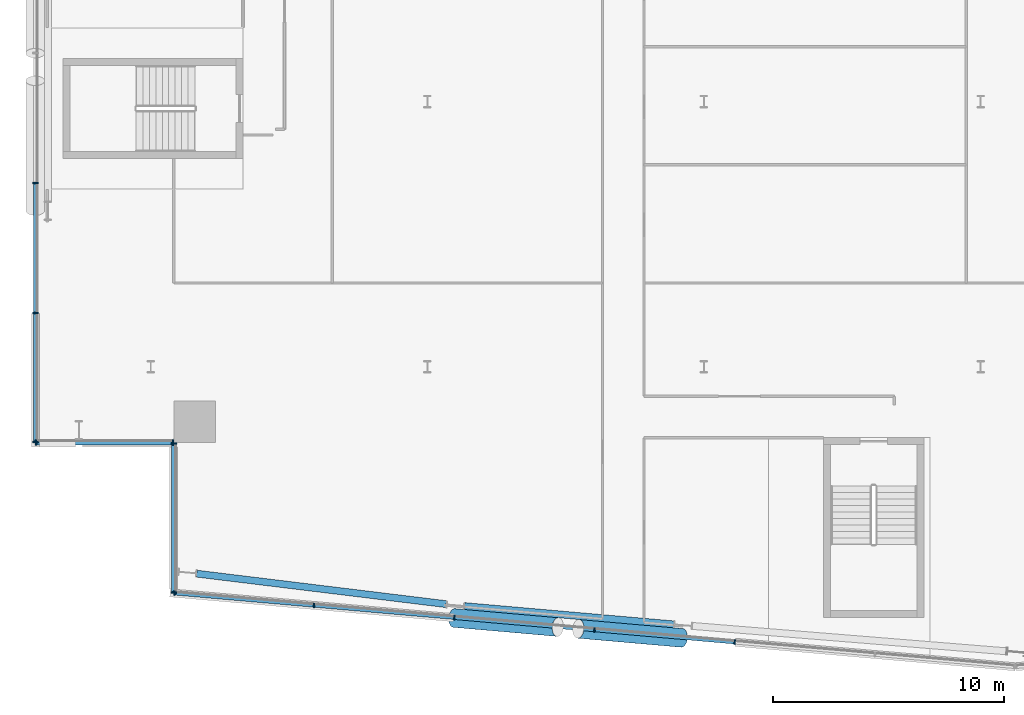
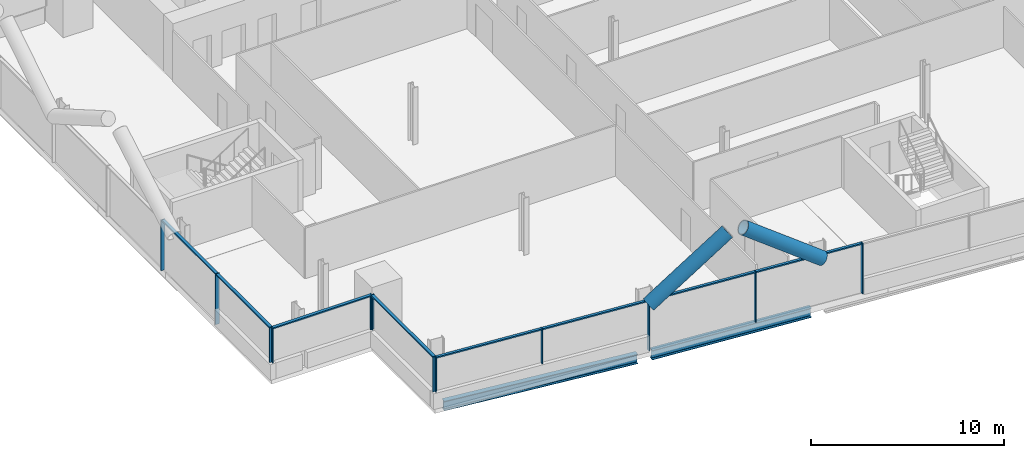
# One storey, part 5 of 26: 22 members, 2 beams, 4 elements without a shape of their own.
"""IFC4 building model written with IfcOpenShell, lengths in metres."""

from ifc_helpers import new_model, si_unit, direction, frame, origin, origin_2d, place, context, subcontext, project, spatial, rectangle, hollow_circle, i_section, extrude, material, material_profile, profile_set, type_object, element, aggregate, save


model = new_model("IFC4")

# Units and contexts
model_context = context("Model", 3, precision=1e-05, world=origin(), true_north=direction((0.0, 1.0)))
body_context = subcontext(model_context, "Body", "Model", "MODEL_VIEW")
ifc_project = project(units=[si_unit("LENGTHUNIT", "METRE"), si_unit("AREAUNIT", "SQUARE_METRE"), si_unit("VOLUMEUNIT", "CUBIC_METRE"), si_unit("PLANEANGLEUNIT", "RADIAN"), si_unit("MASSUNIT", "GRAM", prefix="KILO")], contexts=[model_context])

# Site, building, storey
site_placement = place(None, origin())
site = spatial("IfcSite", under=ifc_project, at=site_placement, CompositionType="ELEMENT")
building_placement = place(site_placement, origin())
building = spatial("IfcBuilding", under=site, at=building_placement, Name="Wharfspan Tower", CompositionType="ELEMENT")
storey_placement = place(building_placement, frame((0.0, 0.0, 114.699951)))
storey = spatial("IfcBuildingStorey", under=building, at=storey_placement, Name="L26", CompositionType="ELEMENT", Elevation=114.699951)

# Beams
ifc_material_1 = material(Name="Steel S355J2", Category="steel")
ifc_material_profile_1 = material_profile(ifc_material_1, i_section(OverallWidth=0.300049, OverallDepth=0.600098, WebThickness=0.015381, FlangeThickness=0.030029, FilletRadius=0.0271, at=origin_2d()))
ifc_profile_set_1 = profile_set([ifc_material_profile_1], Name="Steel S355J2")
beam_type = type_object("IfcBeamType", Name="Edge beam HEB 600", PredefinedType="SPANDREL", material=ifc_profile_set_1)
beam_1_placement = place(storey_placement, frame((13.990967, 2.520508, -0.699951), z_axis=(0.992611, -0.121342, 0.0), x_axis=(0.121342, 0.992611, 0.0)))
element("IfcBeam", 1, at=beam_1_placement, inside=storey, type_object=beam_type, Name="Edge beam S1 L26 PS1.1 to PS1.2", PredefinedType="SPANDREL", context=body_context, shape_type="SweptSolid", body=[
    extrude(i_section(OverallWidth=0.300049, OverallDepth=0.600098, WebThickness=0.015381, FlangeThickness=0.030029, FilletRadius=0.0271, at=origin_2d()), origin(), (0.0, 0.0, 1.0), 10.903076),
])
beam_2_placement = place(storey_placement, frame((25.615234, 1.113525, -0.699951), z_axis=(0.996195, -0.087151, 0.0), x_axis=(0.087151, 0.996195, 0.0)))
element("IfcBeam", 2, at=beam_2_placement, inside=storey, type_object=beam_type, Name="Edge beam S1 L26 PS1.2 to PS1.3", PredefinedType="SPANDREL", context=body_context, shape_type="SweptSolid", body=[
    extrude(i_section(OverallWidth=0.300049, OverallDepth=0.600098, WebThickness=0.015381, FlangeThickness=0.030029, FilletRadius=0.0271, at=origin_2d()), origin(), (0.0, 0.0, 1.0), 9.107178),
])

# Curtain wall, members
ifc_material_2 = material(Name="Aluminium 6063-T6", Category="aluminium")
curtain_wall_type_1 = type_object("IfcCurtainWallType", Name="CURTAIN WALL FACETED FRONT", PredefinedType="NOTDEFINED", material=ifc_material_2)
curtain_wall_1_placement = place(storey_placement, origin())
curtain_wall_1 = element("IfcCurtainWall", 3, at=curtain_wall_1_placement, inside=storey, type_object=curtain_wall_type_1, Name="Curtain wall S1", PredefinedType="NOTDEFINED")
ifc_material_profile_2 = material_profile(ifc_material_2, rectangle(XDim=0.199951, YDim=0.060059, at=origin_2d()))
ifc_profile_set_2 = profile_set([ifc_material_profile_2], Name="Aluminium 6063-T6")
member_type_1 = type_object("IfcMemberType", Name="MULLION FACETED FRONT 60x200", PredefinedType="MULLION", material=ifc_profile_set_2)
member_1_placement = place(storey_placement, frame((13.029785, 1.672363, 1.0), z_axis=(0.0, 0.0, 1.0), x_axis=(0.087156, 0.996198, 0.0)))
member_1 = element("IfcMember", 4, at=member_1_placement, type_object=member_type_1, Name="Curtain wall S1 mullion 1", PredefinedType="MULLION", context=body_context, shape_type="SweptSolid", body=[
    extrude(rectangle(XDim=0.199951, YDim=0.060059, at=origin_2d()), origin(), (0.0, 0.0, 1.0), 2.199951),
])
member_2_placement = place(storey_placement, frame((19.083252, 1.142822, 1.0), z_axis=(0.0, 0.0, 1.0), x_axis=(0.087156, 0.996198, 0.0)))
member_2 = element("IfcMember", 5, at=member_2_placement, type_object=member_type_1, Name="Curtain wall S1 mullion 2", PredefinedType="MULLION", context=body_context, shape_type="SweptSolid", body=[
    extrude(rectangle(XDim=0.199951, YDim=0.060059, at=origin_2d()), origin(), (0.0, 0.0, 1.0), 2.199951),
])
member_3_placement = place(storey_placement, frame((25.166748, 0.610596, 0.0), z_axis=(0.0, 0.0, 1.0), x_axis=(0.087156, 0.996198, 0.0)))
member_3 = element("IfcMember", 6, at=member_3_placement, type_object=member_type_1, Name="Curtain wall S1 mullion 3", PredefinedType="MULLION", context=body_context, shape_type="SweptSolid", body=[
    extrude(rectangle(XDim=0.199951, YDim=0.060059, at=origin_2d()), origin(), (0.0, 0.0, 1.0), 3.199951),
])
member_4_placement = place(storey_placement, frame((31.25, 0.078369, 0.0), z_axis=(0.0, 0.0, 1.0), x_axis=(0.087156, 0.996198, 0.0)))
member_4 = element("IfcMember", 7, at=member_4_placement, type_object=member_type_1, Name="Curtain wall S1 mullion 4", PredefinedType="MULLION", context=body_context, shape_type="SweptSolid", body=[
    extrude(rectangle(XDim=0.199951, YDim=0.060059, at=origin_2d()), origin(), (0.0, 0.0, 1.0), 3.199951),
])
member_5_placement = place(storey_placement, frame((37.333252, -0.453857, 0.0), z_axis=(0.0, 0.0, 1.0), x_axis=(0.087156, 0.996198, 0.0)))
member_5 = element("IfcMember", 8, at=member_5_placement, type_object=member_type_1, Name="Curtain wall S1 mullion 5", PredefinedType="MULLION", context=body_context, shape_type="SweptSolid", body=[
    extrude(rectangle(XDim=0.199951, YDim=0.060059, at=origin_2d()), origin(), (0.0, 0.0, 1.0), 3.199951),
])

curtain_wall_type_2 = type_object("IfcCurtainWallType", Name="CURTAIN WALL PROW AND END", PredefinedType="NOTDEFINED", material=ifc_material_2)
curtain_wall_2_placement = place(storey_placement, origin())
curtain_wall_2 = element("IfcCurtainWall", 9, at=curtain_wall_2_placement, inside=storey, type_object=curtain_wall_type_2, Name="Curtain wall W", PredefinedType="NOTDEFINED")
ifc_material_profile_3 = material_profile(ifc_material_2, rectangle(XDim=0.23999, YDim=0.060059, at=origin_2d()))
ifc_profile_set_3 = profile_set([ifc_material_profile_3], Name="Aluminium 6063-T6")
member_type_2 = type_object("IfcMemberType", Name="MULLION PROW AND END 60x240", PredefinedType="MULLION", material=ifc_profile_set_3)
member_6_placement = place(storey_placement, frame((7.0, 19.466553, 0.0), z_axis=(0.0, 0.0, 1.0), x_axis=(1.0, 0.0, 0.0)))
member_6 = element("IfcMember", 10, at=member_6_placement, type_object=member_type_2, Name="Curtain wall W mullion 5", PredefinedType="MULLION", context=body_context, shape_type="SweptSolid", body=[
    extrude(rectangle(XDim=0.23999, YDim=0.060059, at=origin_2d()), origin(), (0.0, 0.0, 1.0), 3.199951),
])
member_7_placement = place(storey_placement, frame((7.0, 13.833252, 0.0), z_axis=(0.0, 0.0, 1.0), x_axis=(1.0, 0.0, 0.0)))
member_7 = element("IfcMember", 11, at=member_7_placement, type_object=member_type_2, Name="Curtain wall W mullion 6", PredefinedType="MULLION", context=body_context, shape_type="SweptSolid", body=[
    extrude(rectangle(XDim=0.23999, YDim=0.060059, at=origin_2d()), origin(), (0.0, 0.0, 1.0), 3.199951),
])
member_8_placement = place(storey_placement, frame((7.0, 8.22998, 1.0), z_axis=(0.0, 0.0, 1.0), x_axis=(1.0, 0.0, 0.0)))
member_8 = element("IfcMember", 12, at=member_8_placement, type_object=member_type_2, Name="Curtain wall W mullion 7", PredefinedType="MULLION", context=body_context, shape_type="SweptSolid", body=[
    extrude(rectangle(XDim=0.23999, YDim=0.060059, at=origin_2d()), origin(), (0.0, 0.0, 1.0), 2.199951),
])

curtain_wall_3_placement = place(storey_placement, origin())
curtain_wall_3 = element("IfcCurtainWall", 13, at=curtain_wall_3_placement, inside=storey, type_object=curtain_wall_type_2, Name="Curtain wall NFW-H", PredefinedType="NOTDEFINED")
member_9_placement = place(storey_placement, frame((7.030029, 8.199951, 1.0), z_axis=(0.0, 0.0, 1.0), x_axis=(0.0, 1.0, 0.0)))
member_9 = element("IfcMember", 14, at=member_9_placement, type_object=member_type_2, Name="Curtain wall NFW-H mullion 1", PredefinedType="MULLION", context=body_context, shape_type="SweptSolid", body=[
    extrude(rectangle(XDim=0.23999, YDim=0.060059, at=origin_2d()), origin(), (0.0, 0.0, 1.0), 2.199951),
])
member_10_placement = place(storey_placement, frame((12.969971, 8.199951, 1.0), z_axis=(0.0, 0.0, 1.0), x_axis=(0.0, 1.0, 0.0)))
member_10 = element("IfcMember", 15, at=member_10_placement, type_object=member_type_2, Name="Curtain wall NFW-H mullion 2", PredefinedType="MULLION", context=body_context, shape_type="SweptSolid", body=[
    extrude(rectangle(XDim=0.23999, YDim=0.060059, at=origin_2d()), origin(), (0.0, 0.0, 1.0), 2.199951),
])

curtain_wall_4_placement = place(storey_placement, origin())
curtain_wall_4 = element("IfcCurtainWall", 16, at=curtain_wall_4_placement, inside=storey, type_object=curtain_wall_type_2, Name="Curtain wall NFW-V", PredefinedType="NOTDEFINED")
member_11_placement = place(storey_placement, frame((13.0, 8.169922, 1.0), z_axis=(0.0, 0.0, 1.0), x_axis=(1.0, 0.0, 0.0)))
member_11 = element("IfcMember", 17, at=member_11_placement, type_object=member_type_2, Name="Curtain wall NFW-V mullion 1", PredefinedType="MULLION", context=body_context, shape_type="SweptSolid", body=[
    extrude(rectangle(XDim=0.23999, YDim=0.060059, at=origin_2d()), origin(), (0.0, 0.0, 1.0), 2.199951),
])
member_12_placement = place(storey_placement, frame((13.0, 1.705078, 1.0), z_axis=(0.0, 0.0, 1.0), x_axis=(1.0, 0.0, 0.0)))
member_12 = element("IfcMember", 18, at=member_12_placement, type_object=member_type_2, Name="Curtain wall NFW-V mullion 2", PredefinedType="MULLION", context=body_context, shape_type="SweptSolid", body=[
    extrude(rectangle(XDim=0.23999, YDim=0.060059, at=origin_2d()), origin(), (0.0, 0.0, 1.0), 2.199951),
])

# Members
ifc_material_3 = material(Name="Steel S460NH", Category="steel")
ifc_material_profile_4 = material_profile(ifc_material_3, hollow_circle(Radius=0.406494, WallThickness=0.040039, at=origin_2d()))
ifc_profile_set_4 = profile_set([ifc_material_profile_4], Name="Steel S460NH")
member_type_3 = type_object("IfcMemberType", Name="Mega brace CHS 813x40", PredefinedType="BRACE", material=ifc_profile_set_4)
member_13_placement = place(storey_placement, frame((25.165283, 0.595703, 2.900146), z_axis=(0.806051, -0.070528, 0.587629), x_axis=(0.087168, 0.996193, -4e-06)))
element("IfcMember", 19, at=member_13_placement, inside=storey, type_object=member_type_3, Name="Mega brace S1 L27 part 1", PredefinedType="BRACE", context=body_context, shape_type="SweptSolid", body=[
    extrude(hollow_circle(Radius=0.406494, WallThickness=0.040039, at=origin_2d()), origin(), (0.0, 0.0, 1.0), 5.569824),
])
member_14_placement = place(storey_placement, frame((35.040771, -0.268311, 2.900146), z_axis=(-0.806035, 0.07053, 0.58765), x_axis=(-0.087168, -0.996195, 2e-06)))
element("IfcMember", 20, at=member_14_placement, inside=storey, type_object=member_type_3, Name="Mega brace S1 L27 part 3", PredefinedType="BRACE", context=body_context, shape_type="SweptSolid", body=[
    extrude(hollow_circle(Radius=0.406494, WallThickness=0.040039, at=origin_2d()), origin(), (0.0, 0.0, 1.0), 5.56958),
])

# Member
ifc_material_profile_5 = material_profile(ifc_material_2, rectangle(XDim=0.159912, YDim=0.080078, at=origin_2d()))
ifc_profile_set_5 = profile_set([ifc_material_profile_5], Name="Aluminium 6063-T6")
member_type_4 = type_object("IfcMemberType", Name="TRANSOM FACETED FRONT 80x160", PredefinedType="USERDEFINED", material=ifc_profile_set_5)
member_15_placement = place(storey_placement, frame((13.059814, 1.669922, 3.160156), z_axis=(0.996194, -0.087162, 0.0), x_axis=(0.087162, 0.996194, 0.0)))
member_15 = element("IfcMember", 21, at=member_15_placement, type_object=member_type_4, Name="Curtain wall S1 transom 1", ObjectType="TRANSOM", PredefinedType="USERDEFINED", context=body_context, shape_type="SweptSolid", body=[
    extrude(rectangle(XDim=0.159912, YDim=0.080078, at=origin_2d()), origin(), (0.0, 0.0, 1.0), 6.016602),
])

member_16_placement = place(storey_placement, frame((19.113281, 1.140137, 3.160156), z_axis=(0.996197, -0.087135, 0.0), x_axis=(0.087135, 0.996197, 0.0)))
member_16 = element("IfcMember", 22, at=member_16_placement, type_object=member_type_4, Name="Curtain wall S1 transom 2", ObjectType="TRANSOM", PredefinedType="USERDEFINED", context=body_context, shape_type="SweptSolid", body=[
    extrude(rectangle(XDim=0.159912, YDim=0.080078, at=origin_2d()), origin(), (0.0, 0.0, 1.0), 6.046387),
])

member_17_placement = place(storey_placement, frame((25.196533, 0.60791, 3.160156), z_axis=(0.996197, -0.087131, 0.0), x_axis=(0.087131, 0.996197, 0.0)))
member_17 = element("IfcMember", 23, at=member_17_placement, type_object=member_type_4, Name="Curtain wall S1 transom 3", ObjectType="TRANSOM", PredefinedType="USERDEFINED", context=body_context, shape_type="SweptSolid", body=[
    extrude(rectangle(XDim=0.159912, YDim=0.080078, at=origin_2d()), origin(), (0.0, 0.0, 1.0), 6.046631),
])

member_18_placement = place(storey_placement, frame((31.279785, 0.075684, 3.160156), z_axis=(0.996197, -0.087131, 0.0), x_axis=(0.087131, 0.996197, 0.0)))
member_18 = element("IfcMember", 24, at=member_18_placement, type_object=member_type_4, Name="Curtain wall S1 transom 4", ObjectType="TRANSOM", PredefinedType="USERDEFINED", context=body_context, shape_type="SweptSolid", body=[
    extrude(rectangle(XDim=0.159912, YDim=0.080078, at=origin_2d()), origin(), (0.0, 0.0, 1.0), 6.046631),
])

aggregate(curtain_wall_1, [member_1, member_2, member_3, member_4, member_5, member_15, member_16, member_17, member_18])

ifc_material_profile_6 = material_profile(ifc_material_2, rectangle(XDim=0.179932, YDim=0.080078, at=origin_2d()))
ifc_profile_set_6 = profile_set([ifc_material_profile_6], Name="Aluminium 6063-T6")
member_type_5 = type_object("IfcMemberType", Name="TRANSOM PROW AND END 80x180", PredefinedType="USERDEFINED", material=ifc_profile_set_6)
member_19_placement = place(storey_placement, frame((7.0, 19.436768, 3.160156), z_axis=(0.0, -1.0, 0.0), x_axis=(1.0, 0.0, 0.0)))
member_19 = element("IfcMember", 25, at=member_19_placement, type_object=member_type_5, Name="Curtain wall W transom 5", ObjectType="TRANSOM", PredefinedType="USERDEFINED", context=body_context, shape_type="SweptSolid", body=[
    extrude(rectangle(XDim=0.179932, YDim=0.080078, at=origin_2d()), origin(), (0.0, 0.0, 1.0), 5.573486),
])

member_20_placement = place(storey_placement, frame((7.0, 13.803223, 3.160156), z_axis=(0.0, -1.0, 0.0), x_axis=(1.0, 0.0, 0.0)))
member_20 = element("IfcMember", 26, at=member_20_placement, type_object=member_type_5, Name="Curtain wall W transom 6", ObjectType="TRANSOM", PredefinedType="USERDEFINED", context=body_context, shape_type="SweptSolid", body=[
    extrude(rectangle(XDim=0.179932, YDim=0.080078, at=origin_2d()), origin(), (0.0, 0.0, 1.0), 5.543213),
])

aggregate(curtain_wall_2, [member_6, member_7, member_8, member_19, member_20])

member_21_placement = place(storey_placement, frame((7.060059, 8.199951, 3.160156), z_axis=(1.0, 0.0, 0.0), x_axis=(0.0, 1.0, 0.0)))
member_21 = element("IfcMember", 27, at=member_21_placement, type_object=member_type_5, Name="Curtain wall NFW-H transom 1", ObjectType="TRANSOM", PredefinedType="USERDEFINED", context=body_context, shape_type="SweptSolid", body=[
    extrude(rectangle(XDim=0.179932, YDim=0.080078, at=origin_2d()), origin(), (0.0, 0.0, 1.0), 5.879883),
])

aggregate(curtain_wall_3, [member_9, member_10, member_21])

member_22_placement = place(storey_placement, frame((13.0, 8.139893, 3.160156), z_axis=(0.0, -1.0, 0.0), x_axis=(1.0, 0.0, 0.0)))
member_22 = element("IfcMember", 28, at=member_22_placement, type_object=member_type_5, Name="Curtain wall NFW-V transom 1", ObjectType="TRANSOM", PredefinedType="USERDEFINED", context=body_context, shape_type="SweptSolid", body=[
    extrude(rectangle(XDim=0.179932, YDim=0.080078, at=origin_2d()), origin(), (0.0, 0.0, 1.0), 6.404785),
])

aggregate(curtain_wall_4, [member_11, member_12, member_22])

save(model, "model.ifc")
